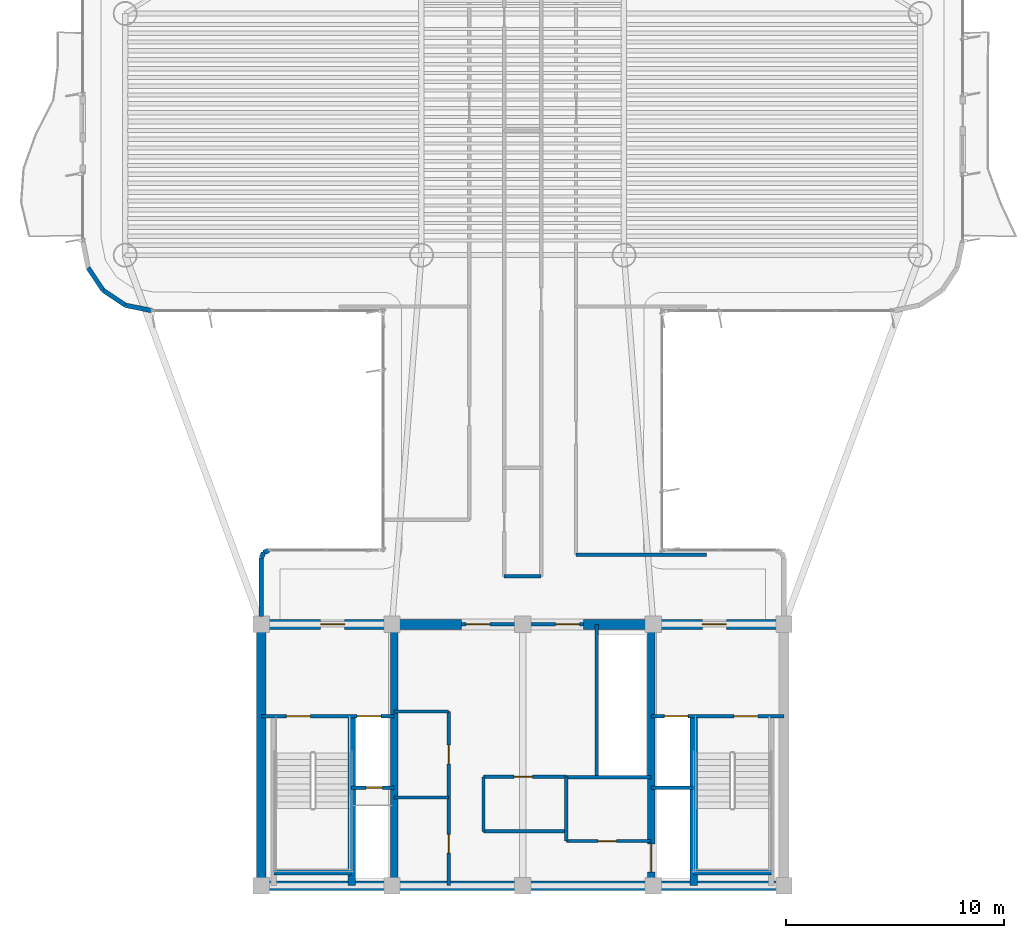
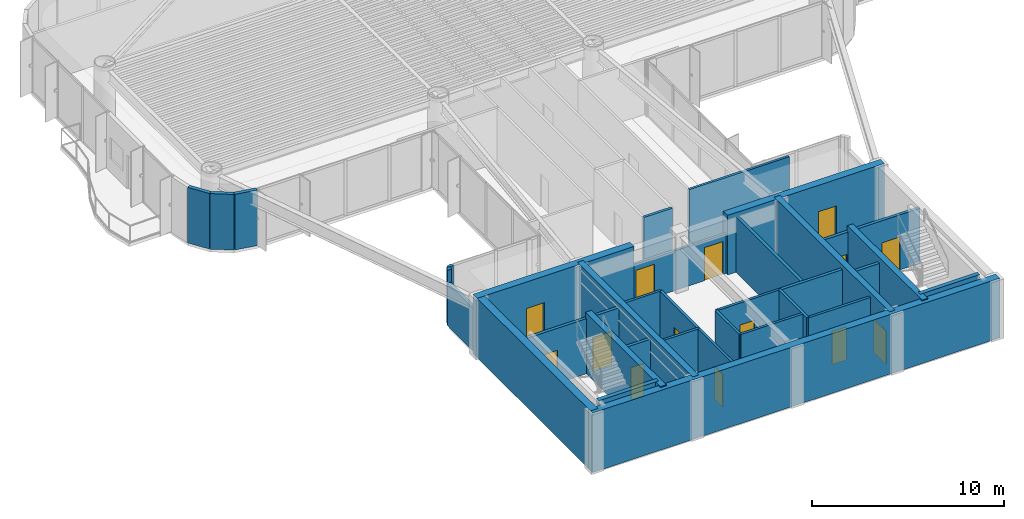
# One storey, part 9 of 13: 33 walls, 14 doors, 14 openings.
"""IFC4 building model written with IfcOpenShell, lengths in metres."""

import ifcopenshell
import ifcopenshell.guid

model = None  # the IFC model being written
_history = None  # IfcOwnerHistory: only IFC2X3 demands one
_inside = {}  # id of a spatial element -> (the spatial element, [elements in it])
_under = {}  # id of a project, library or spatial element -> (it, [spatial elements below it])
_declared = {}  # id of a project -> (the project, [libraries it declares])
_typed = {}  # id of a type object -> (the type object, [elements of that type])
_made_of = {}  # id of a material, layer set ... -> (it, [elements and type objects made of it])


def new_model(schema):
    """Start an empty IFC model of exactly this schema.

    Asked for "IFC4X3", IfcOpenShell would pick the latest addendum, in which some entities
    have other attributes; the version numbers below select the first issue.
    IFC2X3 requires an IfcOwnerHistory on every rooted entity: one is made here for all.
    """
    global model, _history
    if schema == "IFC4X3":
        model = ifcopenshell.file(schema_version=(4, 3, 0, 0))
    else:
        model = ifcopenshell.file(schema=schema)
    _inside.clear()
    _under.clear()
    _declared.clear()
    _typed.clear()
    _made_of.clear()
    _history = None
    if model.schema == "IFC2X3":
        org = make("IfcOrganization", Name="unknown")
        user = make(
            "IfcPersonAndOrganization",
            ThePerson=make("IfcPerson", FamilyName="unknown"),
            TheOrganization=org,
        )
        app = make(
            "IfcApplication",
            ApplicationDeveloper=org,
            Version="unknown",
            ApplicationFullName="unknown",
            ApplicationIdentifier="unknown",
        )
        _history = make(
            "IfcOwnerHistory",
            OwningUser=user,
            OwningApplication=app,
            ChangeAction="ADDED",
            CreationDate=0,
        )
    return model


def make(cls, **values):
    """One entity of the class cls with the attributes given. An attribute that is None is left unset."""
    return model.create_entity(
        cls, **{name: value for name, value in values.items() if value is not None}
    )


def rooted(cls, **values):
    """An entity with a GlobalId (a new one), such as an element, a storey or a relation."""
    return make(cls, GlobalId=ifcopenshell.guid.new(), OwnerHistory=_history, **values)


def si_unit(unit_type, name, prefix=None):
    """IfcSIUnit, for example si_unit("LENGTHUNIT", "METRE", prefix="MILLI")."""
    return make("IfcSIUnit", UnitType=unit_type, Prefix=prefix, Name=name)


def assignment(units):
    """IfcUnitAssignment: the units of a project."""
    return None if units is None else make("IfcUnitAssignment", Units=units)


def point(xyz):
    """IfcCartesianPoint."""
    return None if xyz is None else make("IfcCartesianPoint", Coordinates=xyz)


def direction(xyz):
    """IfcDirection."""
    return None if xyz is None else make("IfcDirection", DirectionRatios=xyz)


def frame(location, z_axis=None, x_axis=None):
    """IfcAxis2Placement3D, a coordinate frame: its origin and axes. An axis left out is left unset."""
    return make(
        "IfcAxis2Placement3D",
        Location=point(location),
        Axis=direction(z_axis),
        RefDirection=direction(x_axis),
    )


def frame_2d(location, x_axis=None):
    """IfcAxis2Placement2D, a coordinate frame in the plane: its origin and x axis."""
    return make(
        "IfcAxis2Placement2D", Location=point(location), RefDirection=direction(x_axis)
    )


def origin():
    """The frame at (0, 0, 0) with its axes left unset."""
    return frame((0.0, 0.0, 0.0))


def origin_2d():
    """The frame at (0, 0) in the plane with its x axis left unset."""
    return frame_2d((0.0, 0.0))


def place(relative_to, where):
    """IfcLocalPlacement: puts the frame where relative to a parent placement (None: the world)."""
    return make(
        "IfcLocalPlacement", PlacementRelTo=relative_to, RelativePlacement=where
    )


def context(
    kind, dimensions, precision=None, world=None, true_north=None, identifier=None
):
    """IfcGeometricRepresentationContext, for example the 3D "Model" context."""
    return make(
        "IfcGeometricRepresentationContext",
        ContextIdentifier=identifier,
        ContextType=kind,
        CoordinateSpaceDimension=dimensions,
        Precision=precision,
        WorldCoordinateSystem=world,
        TrueNorth=true_north,
    )


def subcontext(parent, identifier, kind, view, scale=None):
    """IfcGeometricRepresentationSubContext, for example "Body" below "Model"."""
    return make(
        "IfcGeometricRepresentationSubContext",
        ContextIdentifier=identifier,
        ContextType=kind,
        ParentContext=parent,
        TargetScale=scale,
        TargetView=view,
    )


def project(units=None, contexts=None):
    """IfcProject with its units and contexts."""
    return rooted(
        "IfcProject",
        Name="project",
        RepresentationContexts=contexts,
        UnitsInContext=assignment(units),
    )


def spatial(cls, under=None, at=None, **own):
    """A site, building, storey or space (cls), placed at a placement, below another one or the project."""
    s = rooted(cls, ObjectPlacement=at, **own)
    if under is not None:
        _under.setdefault(under.id(), (under, []))[1].append(s)
    return s


def profile(cls, at=None, kind="AREA", **sizes):
    """A parametric profile (cls). Its sizes go by their IFC names, for example OverallWidth=200.0."""
    return make(cls, ProfileType=kind, Position=at, **sizes)


def rectangle(**sizes):
    """IfcRectangleProfileDef."""
    return profile("IfcRectangleProfileDef", **sizes)


def extrude(swept, where, along, depth):
    """IfcExtrudedAreaSolid: the profile swept, set in the frame where, extruded along a direction by depth."""
    return make(
        "IfcExtrudedAreaSolid",
        SweptArea=swept,
        Position=where,
        ExtrudedDirection=direction(along),
        Depth=depth,
    )


def shape(context_of_items, identifier, shape_type, items):
    """IfcShapeRepresentation: the items that make up one representation, for example the "Body"."""
    return make(
        "IfcShapeRepresentation",
        ContextOfItems=context_of_items,
        RepresentationIdentifier=identifier,
        RepresentationType=shape_type,
        Items=items,
    )


def source(mapping_origin, context_of_items, identifier, shape_type, items):
    """IfcRepresentationMap: a shape defined once, which mapped items show again and again."""
    return make(
        "IfcRepresentationMap",
        MappingOrigin=mapping_origin,
        MappedRepresentation=shape(context_of_items, identifier, shape_type, items),
    )


def transform(
    local_origin,
    x_axis=None,
    y_axis=None,
    z_axis=None,
    scale=None,
    scale2=None,
    scale3=None,
    uniform=True,
):
    """IfcCartesianTransformationOperator3D, or its non-uniform kind. x_axis, y_axis, z_axis: its Axis1, 2, 3."""
    if uniform:
        return make(
            "IfcCartesianTransformationOperator3D",
            Axis1=direction(x_axis),
            Axis2=direction(y_axis),
            LocalOrigin=point(local_origin),
            Scale=scale,
            Axis3=direction(z_axis),
        )
    return make(
        "IfcCartesianTransformationOperator3DnonUniform",
        Axis1=direction(x_axis),
        Axis2=direction(y_axis),
        LocalOrigin=point(local_origin),
        Scale=scale,
        Axis3=direction(z_axis),
        Scale2=scale2,
        Scale3=scale3,
    )


def mapped(mapping_source, mapping_target):
    """IfcMappedItem: shows the shape of a source again, moved by a transform."""
    return make(
        "IfcMappedItem", MappingSource=mapping_source, MappingTarget=mapping_target
    )


def material(Name=None, Category=None):
    """IfcMaterial."""
    return make("IfcMaterial", Name=Name, Category=Category)


def layer(
    of_material, thickness, ventilated=None, Name=None, Category=None, Priority=None
):
    """IfcMaterialLayer: one layer of a wall or slab, of a material (None: an air gap)."""
    return make(
        "IfcMaterialLayer",
        Material=of_material,
        LayerThickness=thickness,
        IsVentilated=ventilated,
        Name=Name,
        Category=Category,
        Priority=Priority,
    )


def layer_set(layers, Name=None):
    """IfcMaterialLayerSet."""
    return make("IfcMaterialLayerSet", MaterialLayers=layers, LayerSetName=Name)


def made_of(thing, what):
    """Note that an element or type object is made of a material, layer set ...; save() writes the relation."""
    if what is not None:
        _made_of.setdefault(what.id(), (what, []))[1].append(thing)
    return thing


def type_object(cls, material=None, **own):
    """A type object (cls), such as IfcWallType, which elements share."""
    return made_of(rooted(cls, **own), material)


def element(
    cls,
    number,
    at=None,
    inside=None,
    cuts=None,
    type_object=None,
    material=None,
    context=None,
    identifier="Body",
    shape_type=None,
    held_by="IfcProductDefinitionShape",
    body=None,
    shapes=None,
    **own,
):
    """One element of the class cls, such as IfcWall. Its Tag is "e" and its number.

    at: its placement. inside: the storey or other place that contains it. cuts: it is an
    opening in that element (IfcRelVoidsElement). A single representation is given by context,
    identifier, shape_type and body (its items); several are given by shapes. held_by: the class
    of the entity that holds the representations. save() writes the other relations.
    """
    e = rooted(cls, Tag="e%d" % number, ObjectPlacement=at, **own)
    if body is not None:
        shapes = [shape(context, identifier, shape_type, body)]
    if shapes is not None:
        e.Representation = make(held_by, Representations=shapes)
    if inside is not None:
        _inside.setdefault(inside.id(), (inside, []))[1].append(e)
    if cuts is not None:
        rooted(
            "IfcRelVoidsElement", RelatingBuildingElement=cuts, RelatedOpeningElement=e
        )
    if type_object is not None:
        _typed.setdefault(type_object.id(), (type_object, []))[1].append(e)
    return made_of(e, material)


def fill(opening, filler):
    """IfcRelFillsElement: the door or window that sits in an opening."""
    return rooted(
        "IfcRelFillsElement",
        RelatingOpeningElement=opening,
        RelatedBuildingElement=filler,
    )


def aggregate(whole, parts):
    """IfcRelAggregates: a whole, such as a stair, and the parts it consists of."""
    return rooted("IfcRelAggregates", RelatingObject=whole, RelatedObjects=parts)


def save(model, path):
    """Write the relations noted so far, then the file.

    IfcRelAggregates (storeys below a building ...), IfcRelContainedInSpatialStructure (elements
    in a storey), IfcRelDefinesByType, IfcRelAssociatesMaterial and IfcRelDeclares: one each for
    every whole, place, type object, material and project.
    """
    for whole, parts in _under.values():
        aggregate(whole, parts)
    for where, things in _inside.values():
        rooted(
            "IfcRelContainedInSpatialStructure",
            RelatedElements=things,
            RelatingStructure=where,
        )
    for kind, things in _typed.values():
        rooted("IfcRelDefinesByType", RelatedObjects=things, RelatingType=kind)
    for what, things in _made_of.values():
        rooted("IfcRelAssociatesMaterial", RelatedObjects=things, RelatingMaterial=what)
    for by, libraries in _declared.values():
        rooted("IfcRelDeclares", RelatingContext=by, RelatedDefinitions=libraries)
    model.write(path)


model = new_model("IFC4")

# Units and contexts
model_context = context("Model", 3, precision=1e-05, world=origin(), true_north=direction((0.0, 1.0)))
body_context = subcontext(model_context, "Body", "Model", "MODEL_VIEW")
ifc_project = project(units=[si_unit("LENGTHUNIT", "METRE"), si_unit("AREAUNIT", "SQUARE_METRE"), si_unit("VOLUMEUNIT", "CUBIC_METRE"), si_unit("PLANEANGLEUNIT", "RADIAN"), si_unit("MASSUNIT", "GRAM", prefix="KILO")], contexts=[model_context])

# Site, building, storey
site_placement = place(None, origin())
site = spatial("IfcSite", under=ifc_project, at=site_placement, CompositionType="ELEMENT")
building_placement = place(site_placement, origin())
building = spatial("IfcBuilding", under=site, at=building_placement, Name="Brelvock Crest Care Tower", CompositionType="ELEMENT")
storey_placement = place(building_placement, frame((0.0, 0.0, 186.659912109375)))
storey = spatial("IfcBuildingStorey", under=building, at=storey_placement, Name="L47", CompositionType="ELEMENT", Elevation=186.659912109375)

# Walls
ifc_material_1 = material(Name="Concrete S65 (65 MPa)", Category="concrete")
ifc_layer_1 = layer(ifc_material_1, 0.449951171875, Name="WL-CS3")
ifc_layer_set_1 = layer_set([ifc_layer_1], Name="Concrete S65 (65 MPa)")
wall_type_1 = type_object("IfcWallType", Name="WL-CS3", PredefinedType="SHEAR", material=ifc_layer_set_1)
wall_1_placement = place(storey_placement, frame((48.22509765625, 6.0, 0.0), z_axis=(0.0, 0.0, 1.0), x_axis=(-1.0, 0.0, 0.0)))
element("IfcWall", 1, at=wall_1_placement, inside=storey, type_object=wall_type_1, Name="L47 Core South Shear Wall", PredefinedType="SHEAR", context=body_context, shape_type="SweptSolid", body=[
    extrude(rectangle(XDim=24.4501953125, YDim=0.449951171875, at=frame_2d((12.22509765625, 0.0))), origin(), (0.0, 0.0, 1.0), 3.780029296875),
])
wall_2_placement = place(storey_placement, frame((24.0, 6.0, 0.0), z_axis=(0.0, 0.0, 1.0), x_axis=(0.0, 1.0, 0.0)))
element("IfcWall", 2, at=wall_2_placement, inside=storey, type_object=wall_type_1, Name="L47 Core West Shear Wall", PredefinedType="SHEAR", context=body_context, shape_type="SweptSolid", body=[
    extrude(rectangle(XDim=12.0, YDim=0.449951171875, at=frame_2d((6.0, 0.0))), origin(), (0.0, 0.0, 1.0), 3.780029296875),
])

# Wall, opening, door
wall_3_placement = place(storey_placement, frame((23.77490234375, 18.0, 0.0), z_axis=(0.0, 0.0, 1.0), x_axis=(1.0, 0.0, 0.0)))
wall_3 = element("IfcWall", 3, at=wall_3_placement, inside=storey, type_object=wall_type_1, Name="L47 Core North-West Shear Wall", PredefinedType="SHEAR", context=body_context, shape_type="SweptSolid", body=[
    extrude(rectangle(XDim=9.425048828125, YDim=0.449951171875, at=frame_2d((4.71240234375, 0.0))), origin(), (0.0, 0.0, 1.0), 3.780029296875),
])
opening_1_placement = place(wall_3_placement, frame((2.949951171875, 0.0, 0.0)))
opening_1 = element("IfcOpeningElement", 4, at=opening_1_placement, cuts=wall_3, Name="Opening FD-1", PredefinedType="OPENING", context=body_context, shape_type="SweptSolid", body=[
    extrude(rectangle(XDim=1.10009765625, YDim=2.10009765625, at=origin_2d()), frame((0.550048828125, 0.23486328125, 1.050048828125), z_axis=(0.0, -1.0, 0.0), x_axis=(1.0, 0.0, 0.0)), (0.0, 0.0, 1.0), 0.469970703125),
])
ifc_material_2 = material(Name="Steel Grade 350", Category="steel")
door_type_1 = type_object("IfcDoorType", Name="DR-FFL1", OperationType="NOTDEFINED", PredefinedType="DOOR", material=ifc_material_2)
shared_shape_1 = source(origin(), body_context, "Body", "SweptSolid", [
    extrude(rectangle(XDim=1.10009765625, YDim=2.10009765625, at=origin_2d()), frame((0.550048828125, 0.02490234375, 1.050048828125), z_axis=(0.0, -1.0, 0.0), x_axis=(1.0, 0.0, 0.0)), (0.0, 0.0, 1.0), 0.050048828125),
])
door_1_placement = place(opening_1_placement, origin())
door_1 = element("IfcDoor", 5, at=door_1_placement, inside=storey, type_object=door_type_1, Name="L47 Firefighting Lobby FFL-1 Exit Door", OperationType="SINGLE_SWING_LEFT", OverallHeight=2.10009765625, OverallWidth=1.10009765625, PredefinedType="DOOR", context=body_context, shape_type="MappedRepresentation", body=[
    mapped(shared_shape_1, transform((0.0, 0.0, 0.0), x_axis=(1.0, 0.0, 0.0), y_axis=(0.0, 1.0, 0.0), z_axis=(0.0, 0.0, 1.0), scale=1.0)),
])
fill(opening_1, door_1)

wall_4_placement = place(storey_placement, frame((38.800048828125, 18.0, 0.0), z_axis=(0.0, 0.0, 1.0), x_axis=(1.0, 0.0, 0.0)))
wall_4 = element("IfcWall", 6, at=wall_4_placement, inside=storey, type_object=wall_type_1, Name="L47 Core North-East Shear Wall", PredefinedType="SHEAR", context=body_context, shape_type="SweptSolid", body=[
    extrude(rectangle(XDim=9.425048828125, YDim=0.449951171875, at=frame_2d((4.71240234375, 0.0))), origin(), (0.0, 0.0, 1.0), 3.780029296875),
])
opening_2_placement = place(wall_4_placement, frame((5.449951171875, 0.0, 0.0)))
opening_2 = element("IfcOpeningElement", 7, at=opening_2_placement, cuts=wall_4, Name="Opening FD-1", PredefinedType="OPENING", context=body_context, shape_type="SweptSolid", body=[
    extrude(rectangle(XDim=1.10009765625, YDim=2.10009765625, at=origin_2d()), frame((0.550048828125, 0.23486328125, 1.050048828125), z_axis=(0.0, -1.0, 0.0), x_axis=(1.0, 0.0, 0.0)), (0.0, 0.0, 1.0), 0.469970703125),
])
door_2_placement = place(opening_2_placement, origin())
door_2 = element("IfcDoor", 8, at=door_2_placement, inside=storey, type_object=door_type_1, Name="L47 Firefighting Lobby FFL-2 Exit Door", OperationType="SINGLE_SWING_RIGHT", OverallHeight=2.10009765625, OverallWidth=1.10009765625, PredefinedType="DOOR", context=body_context, shape_type="MappedRepresentation", body=[
    mapped(shared_shape_1, transform((0.0, 0.0, 0.0), x_axis=(1.0, 0.0, 0.0), y_axis=(0.0, 1.0, 0.0), z_axis=(0.0, 0.0, 1.0), scale=1.0)),
])
fill(opening_2, door_2)

# Wall
ifc_material_3 = material(Name="Concrete S80 (80 MPa)", Category="concrete")
ifc_layer_2 = layer(ifc_material_3, 0.35009765625, Name="WL-CS5")
ifc_layer_set_2 = layer_set([ifc_layer_2], Name="Concrete S80 (80 MPa)")
wall_type_2 = type_object("IfcWallType", Name="WL-CS5", PredefinedType="SHEAR", material=ifc_layer_set_2)
wall_5_placement = place(storey_placement, frame((30.10009765625, 6.0, 0.0), z_axis=(0.0, 0.0, 1.0), x_axis=(0.0, 1.0, 0.0)))
element("IfcWall", 9, at=wall_5_placement, inside=storey, type_object=wall_type_2, Name="L47 Core Internal Web Wall West", PredefinedType="SHEAR", context=body_context, shape_type="SweptSolid", body=[
    extrude(rectangle(XDim=12.0, YDim=0.35009765625, at=frame_2d((6.0, 0.0))), origin(), (0.0, 0.0, 1.0), 3.780029296875),
])

# Wall, opening, door
wall_6_placement = place(storey_placement, frame((41.89990234375, 18.0, 0.0), z_axis=(0.0, 0.0, 1.0), x_axis=(0.0, -1.0, 0.0)))
wall_6 = element("IfcWall", 10, at=wall_6_placement, inside=storey, type_object=wall_type_2, Name="L47 Core Internal Web Wall East", PredefinedType="SHEAR", context=body_context, shape_type="SweptSolid", body=[
    extrude(rectangle(XDim=12.0, YDim=0.35009765625, at=frame_2d((6.0, 0.0))), origin(), (0.0, 0.0, 1.0), 3.780029296875),
])
opening_3_placement = place(wall_6_placement, frame((10.080078125, 0.0, 0.0)))
opening_3 = element("IfcOpeningElement", 11, at=opening_3_placement, cuts=wall_6, Name="Opening LD-S", PredefinedType="OPENING", context=body_context, shape_type="SweptSolid", body=[
    extrude(rectangle(XDim=1.300048828125, YDim=2.10009765625, at=origin_2d()), frame((0.64990234375, 0.18505859375, 1.050048828125), z_axis=(0.0, -1.0, 0.0), x_axis=(1.0, 0.0, 0.0)), (0.0, 0.0, 1.0), 0.3701171875),
])
door_type_2 = type_object("IfcDoorType", Name="DR-LDS1", OperationType="NOTDEFINED", PredefinedType="DOOR", material=ifc_material_2)
shared_shape_2 = source(origin(), body_context, "Body", "SweptSolid", [
    extrude(rectangle(XDim=1.300048828125, YDim=2.10009765625, at=origin_2d()), frame((0.64990234375, 0.02490234375, 1.050048828125), z_axis=(0.0, -1.0, 0.0), x_axis=(1.0, 0.0, 0.0)), (0.0, 0.0, 1.0), 0.050048828125),
])
door_3_placement = place(opening_3_placement, origin())
door_3 = element("IfcDoor", 12, at=door_3_placement, inside=storey, type_object=door_type_2, Name="L47 Clinical Bed Lift SL-1 Landing Door", OperationType="SLIDING_TO_LEFT", OverallHeight=2.10009765625, OverallWidth=1.300048828125, PredefinedType="DOOR", context=body_context, shape_type="MappedRepresentation", body=[
    mapped(shared_shape_2, transform((0.0, 0.0, 0.0), x_axis=(1.0, 0.0, 0.0), y_axis=(0.0, 1.0, 0.0), z_axis=(0.0, 0.0, 1.0), scale=1.0)),
])
fill(opening_3, door_3)

# Walls
for number, where, z_axis, x_axis, name in (
    (13, (28.14990234375, 6.0, 0.0), (0.0, 0.0, 1.0), (0.0, 1.0, 0.0), "L47 Core Stair ST-1 East Shear Wall"),
    (14, (43.85009765625, 6.0, 0.0), (0.0, 0.0, 1.0), (0.0, 1.0, 0.0), "L47 Core Stair ST-2 West Shear Wall"),
):
    element("IfcWall", number, at=place(storey_placement, frame(where, z_axis=z_axis, x_axis=x_axis)), inside=storey, type_object=wall_type_2, Name=name, PredefinedType="SHEAR", context=body_context, shape_type="SweptSolid", body=[
        extrude(rectangle(XDim=7.780029296875, YDim=0.35009765625, at=frame_2d((3.89013671875, 0.0))), origin(), (0.0, 0.0, 1.0), 3.85009765625),
    ])
ifc_layer_3 = layer(ifc_material_3, 0.25, Name="WL-CS6")
ifc_layer_set_3 = layer_set([ifc_layer_3], Name="Concrete S80 (80 MPa)")
wall_type_3 = type_object("IfcWallType", Name="WL-CS6", PredefinedType="SHEAR", material=ifc_layer_set_3)
for number, where, z_axis, x_axis, name in (
    (15, (24.580078125, 6.6201171875, 0.0), (0.0, 0.0, 1.0), (1.0, 0.0, 0.0), "L47 Core Stair ST-1 South Shear Wall"),
    (16, (43.85009765625, 6.6201171875, 0.0), (0.0, 0.0, 1.0), (1.0, 0.0, 0.0), "L47 Core Stair ST-2 South Shear Wall"),
):
    element("IfcWall", number, at=place(storey_placement, frame(where, z_axis=z_axis, x_axis=x_axis)), inside=storey, type_object=wall_type_3, Name=name, PredefinedType="SHEAR", context=body_context, shape_type="SweptSolid", body=[
        extrude(rectangle(XDim=3.56982421875, YDim=0.25, at=frame_2d((1.784912109375, 0.0))), origin(), (0.0, 0.0, 1.0), 3.85009765625),
    ])
ifc_material_4 = material(Name="Precast concrete N40 (40 MPa)", Category="concrete")
ifc_layer_4 = layer(ifc_material_4, 0.215087890625, Name="WL-EX2")
ifc_layer_set_4 = layer_set([ifc_layer_4], Name="Precast concrete N40 (40 MPa)")
wall_type_4 = type_object("IfcWallType", Name="WL-EX2", PredefinedType="SOLIDWALL", material=ifc_layer_set_4)
wall_7_placement = place(storey_placement, frame((24.0, 18.35498046875, 0.0), z_axis=(0.0, 0.0, 1.0), x_axis=(0.0, 1.0, 0.0)))
element("IfcWall", 17, at=wall_7_placement, inside=storey, type_object=wall_type_4, Name="L47 Rounded Corner Wall 07", PredefinedType="SOLIDWALL", context=body_context, shape_type="SweptSolid", body=[
    extrude(rectangle(XDim=2.695068359375, YDim=0.215087890625, at=frame_2d((1.34765625, 0.0))), origin(), (0.0, 0.0, 1.0), 2.718017578125),
])
wall_8_placement = place(storey_placement, frame((24.0, 21.050048828125, 0.0), z_axis=(0.0, 0.0, 1.0), x_axis=(0.382673670509, 0.923883575944, 0.0)))
element("IfcWall", 18, at=wall_8_placement, inside=storey, type_object=wall_type_4, Name="L47 Rounded Corner Wall 08", PredefinedType="SOLIDWALL", context=body_context, shape_type="SweptSolid", body=[
    extrude(rectangle(XDim=0.26806640625, YDim=0.215087890625, at=frame_2d((0.134033203125, 0.0))), origin(), (0.0, 0.0, 1.0), 3.530029296875),
])
wall_9_placement = place(storey_placement, frame((24.1025390625, 21.297607421875, 0.0), z_axis=(0.0, 0.0, 1.0), x_axis=(0.924205486139, 0.381895560841, 0.0)))
element("IfcWall", 19, at=wall_9_placement, inside=storey, type_object=wall_type_4, Name="L47 Rounded Corner Wall 09", PredefinedType="SOLIDWALL", context=body_context, shape_type="SweptSolid", body=[
    extrude(rectangle(XDim=0.267822265625, YDim=0.215087890625, at=frame_2d((0.1337890625, 0.0))), origin(), (0.0, 0.0, 1.0), 3.530029296875),
])
for number, where, z_axis, x_axis, name in (
    (20, (19.0, 32.39990234375, 0.0), (0.0, 0.0, 1.0), (-0.980775717779, 0.195138390419, 0.0), "L47 Rounded Corner Wall 13"),
    (21, (17.775390625, 32.6435546875, 0.0), (0.0, 0.0, 1.0), (-0.831387912822, 0.555692485475, 0.0), "L47 Rounded Corner Wall 14"),
    (22, (16.7373046875, 33.33740234375, 0.0), (0.0, 0.0, 1.0), (-0.555557312883, 0.831478245117, 0.0), "L47 Rounded Corner Wall 15"),
):
    element("IfcWall", number, at=place(storey_placement, frame(where, z_axis=z_axis, x_axis=x_axis)), inside=storey, type_object=wall_type_4, Name=name, PredefinedType="SOLIDWALL", context=body_context, shape_type="SweptSolid", body=[
        extrude(rectangle(XDim=1.24853515625, YDim=0.215087890625, at=frame_2d((0.624267578125, 0.0))), origin(), (0.0, 0.0, 1.0), 3.530029296875),
    ])
ifc_material_5 = material(Name="Masonry Blockwork Acoustic Partition", Category="masonry")
ifc_layer_5 = layer(ifc_material_5, 0.14990234375, Name="WL-INT1")
ifc_layer_set_5 = layer_set([ifc_layer_5], Name="Masonry Blockwork Acoustic Partition")
wall_type_5 = type_object("IfcWallType", Name="WL-INT1", PredefinedType="PARTITIONING", material=ifc_layer_set_5)
wall_10_placement = place(storey_placement, frame((30.10009765625, 14.0, 0.0), z_axis=(0.0, 0.0, 1.0), x_axis=(1.0, 0.0, 0.0)))
element("IfcWall", 23, at=wall_10_placement, inside=storey, type_object=wall_type_5, Name="L47 Interior Wall WL-CRCL-N1-L47", PredefinedType="PARTITIONING", context=body_context, shape_type="SweptSolid", body=[
    extrude(rectangle(XDim=2.5, YDim=0.14990234375, at=frame_2d((1.25, 0.0))), origin(), (0.0, 0.0, 1.0), 3.5),
])
wall_11_placement = place(storey_placement, frame((34.199951171875, 8.5, 0.0), z_axis=(0.0, 0.0, 1.0), x_axis=(1.0, 0.0, 0.0)))
element("IfcWall", 24, at=wall_11_placement, inside=storey, type_object=wall_type_5, Name="L47 Interior Wall WL-CRCM-SW-L47", PredefinedType="PARTITIONING", context=body_context, shape_type="SweptSolid", body=[
    extrude(rectangle(XDim=3.800048828125, YDim=0.14990234375, at=frame_2d((1.89990234375, 0.0))), origin(), (0.0, 0.0, 1.0), 3.5),
])

# Wall, opening, door
wall_12_placement = place(storey_placement, frame((38.0, 8.050048828125, 0.0), z_axis=(0.0, 0.0, 1.0), x_axis=(1.0, 0.0, 0.0)))
wall_12 = element("IfcWall", 25, at=wall_12_placement, inside=storey, type_object=wall_type_5, Name="L47 Interior Wall WL-CRCM-SE-L47", PredefinedType="PARTITIONING", context=body_context, shape_type="SweptSolid", body=[
    extrude(rectangle(XDim=3.89990234375, YDim=0.14990234375, at=frame_2d((1.949951171875, 0.0))), origin(), (0.0, 0.0, 1.0), 3.5),
])
opening_4_placement = place(wall_12_placement, frame((1.449951171875, 0.0, 0.0)))
opening_4 = element("IfcOpeningElement", 26, at=opening_4_placement, cuts=wall_12, Name="Opening ID-1", PredefinedType="OPENING", context=body_context, shape_type="SweptSolid", body=[
    extrude(rectangle(XDim=0.860107421875, YDim=2.10009765625, at=origin_2d()), frame((0.43017578125, 0.0849609375, 1.050048828125), z_axis=(0.0, -1.0, 0.0), x_axis=(1.0, 0.0, 0.0)), (0.0, 0.0, 1.0), 0.169921875),
])
ifc_material_6 = material(Name="Engineered Hardwood Timber", Category="wood")
door_type_3 = type_object("IfcDoorType", Name="DR-INT1", OperationType="NOTDEFINED", PredefinedType="DOOR", material=ifc_material_6)
shared_shape_3 = source(origin(), body_context, "Body", "SweptSolid", [
    extrude(rectangle(XDim=0.860107421875, YDim=2.10009765625, at=origin_2d()), frame((0.43017578125, 0.02490234375, 1.050048828125), z_axis=(0.0, -1.0, 0.0), x_axis=(1.0, 0.0, 0.0)), (0.0, 0.0, 1.0), 0.050048828125),
])
door_4_placement = place(opening_4_placement, origin())
door_4 = element("IfcDoor", 27, at=door_4_placement, inside=storey, type_object=door_type_3, Name="DR-CRCM2-L47", OperationType="SINGLE_SWING_LEFT", OverallHeight=2.10009765625, OverallWidth=0.860107421875, PredefinedType="DOOR", context=body_context, shape_type="MappedRepresentation", body=[
    mapped(shared_shape_3, transform((0.0, 0.0, 0.0), x_axis=(1.0, 0.0, 0.0), y_axis=(0.0, 1.0, 0.0), z_axis=(0.0, 0.0, 1.0), scale=1.0)),
])
fill(opening_4, door_4)

# Walls
wall_13_placement = place(storey_placement, frame((34.199951171875, 8.5, 0.0), z_axis=(0.0, 0.0, 1.0), x_axis=(0.0, 1.0, 0.0)))
element("IfcWall", 28, at=wall_13_placement, inside=storey, type_object=wall_type_5, Name="L47 Interior Wall WL-CRCM-W-L47", PredefinedType="PARTITIONING", context=body_context, shape_type="SweptSolid", body=[
    extrude(rectangle(XDim=2.5, YDim=0.14990234375, at=frame_2d((1.25, 0.0))), origin(), (0.0, 0.0, 1.0), 3.5),
])
wall_14_placement = place(storey_placement, frame((38.0, 8.050048828125, 0.0), z_axis=(0.0, 0.0, 1.0), x_axis=(0.0, 1.0, 0.0)))
element("IfcWall", 29, at=wall_14_placement, inside=storey, type_object=wall_type_5, Name="L47 Interior Wall WL-CRCM-V-L47", PredefinedType="PARTITIONING", context=body_context, shape_type="SweptSolid", body=[
    extrude(rectangle(XDim=2.949951171875, YDim=0.14990234375, at=frame_2d((1.47509765625, 0.0))), origin(), (0.0, 0.0, 1.0), 3.5),
])

# Wall, opening, door
wall_15_placement = place(storey_placement, frame((34.199951171875, 11.0, 0.0), z_axis=(0.0, 0.0, 1.0), x_axis=(1.0, 0.0, 0.0)))
wall_15 = element("IfcWall", 30, at=wall_15_placement, inside=storey, type_object=wall_type_5, Name="L47 Interior Wall WL-CRCM-NW-L47", PredefinedType="PARTITIONING", context=body_context, shape_type="SweptSolid", body=[
    extrude(rectangle(XDim=3.800048828125, YDim=0.14990234375, at=frame_2d((1.89990234375, 0.0))), origin(), (0.0, 0.0, 1.0), 3.5),
])
opening_5_placement = place(wall_15_placement, frame((1.39990234375, 0.0, 0.0)))
opening_5 = element("IfcOpeningElement", 31, at=opening_5_placement, cuts=wall_15, Name="Opening ID-1", PredefinedType="OPENING", context=body_context, shape_type="SweptSolid", body=[
    extrude(rectangle(XDim=0.860107421875, YDim=2.10009765625, at=origin_2d()), frame((0.43017578125, 0.0849609375, 1.050048828125), z_axis=(0.0, -1.0, 0.0), x_axis=(1.0, 0.0, 0.0)), (0.0, 0.0, 1.0), 0.169921875),
])
door_5_placement = place(opening_5_placement, origin())
door_5 = element("IfcDoor", 32, at=door_5_placement, inside=storey, type_object=door_type_3, Name="DR-CRCM1-L47", OperationType="SINGLE_SWING_LEFT", OverallHeight=2.10009765625, OverallWidth=0.860107421875, PredefinedType="DOOR", context=body_context, shape_type="MappedRepresentation", body=[
    mapped(shared_shape_3, transform((0.0, 0.0, 0.0), x_axis=(1.0, 0.0, 0.0), y_axis=(0.0, 1.0, 0.0), z_axis=(0.0, 0.0, 1.0), scale=1.0)),
])
fill(opening_5, door_5)

# Wall
wall_16_placement = place(storey_placement, frame((30.10009765625, 10.050048828125, 0.0), z_axis=(0.0, 0.0, 1.0), x_axis=(1.0, 0.0, 0.0)))
element("IfcWall", 33, at=wall_16_placement, inside=storey, type_object=wall_type_5, Name="L47 Interior Wall WL-CSBW-S1-L47", PredefinedType="PARTITIONING", context=body_context, shape_type="SweptSolid", body=[
    extrude(rectangle(XDim=2.5, YDim=0.14990234375, at=frame_2d((1.25, 0.0))), origin(), (0.0, 0.0, 1.0), 3.5),
])

# Wall, openings, doors
wall_17_placement = place(storey_placement, frame((32.60009765625, 6.0, 0.0), z_axis=(0.0, 0.0, 1.0), x_axis=(0.0, 1.0, 0.0)))
wall_17 = element("IfcWall", 34, at=wall_17_placement, inside=storey, type_object=wall_type_5, Name="L47 Interior Wall WL-CRCL-E-L47", PredefinedType="PARTITIONING", context=body_context, shape_type="SweptSolid", body=[
    extrude(rectangle(XDim=8.0, YDim=0.14990234375, at=frame_2d((4.0, 0.0))), origin(), (0.0, 0.0, 1.0), 3.5),
])
opening_6_placement = place(wall_17_placement, frame((1.5, 0.0, 0.0)))
opening_6 = element("IfcOpeningElement", 35, at=opening_6_placement, cuts=wall_17, Name="Opening ID-1", PredefinedType="OPENING", context=body_context, shape_type="SweptSolid", body=[
    extrude(rectangle(XDim=0.860107421875, YDim=2.10009765625, at=origin_2d()), frame((0.43017578125, 0.0849609375, 1.050048828125), z_axis=(0.0, -1.0, 0.0), x_axis=(1.0, 0.0, 0.0)), (0.0, 0.0, 1.0), 0.169921875),
])
opening_7_placement = place(wall_17_placement, frame((5.60009765625, 0.0, 0.0)))
opening_7 = element("IfcOpeningElement", 36, at=opening_7_placement, cuts=wall_17, Name="Opening ID-1", PredefinedType="OPENING", context=body_context, shape_type="SweptSolid", body=[
    extrude(rectangle(XDim=0.860107421875, YDim=2.10009765625, at=origin_2d()), frame((0.43017578125, 0.0849609375, 1.050048828125), z_axis=(0.0, -1.0, 0.0), x_axis=(1.0, 0.0, 0.0)), (0.0, 0.0, 1.0), 0.169921875),
])
door_6_placement = place(opening_6_placement, origin())
door_6 = element("IfcDoor", 37, at=door_6_placement, inside=storey, type_object=door_type_3, Name="DR-CSBW-L47", OperationType="SINGLE_SWING_LEFT", OverallHeight=2.10009765625, OverallWidth=0.860107421875, PredefinedType="DOOR", context=body_context, shape_type="MappedRepresentation", body=[
    mapped(shared_shape_3, transform((0.0, 0.0, 0.0), x_axis=(1.0, 0.0, 0.0), y_axis=(0.0, 1.0, 0.0), z_axis=(0.0, 0.0, 1.0), scale=1.0)),
])
fill(opening_6, door_6)
door_7_placement = place(opening_7_placement, origin())
door_7 = element("IfcDoor", 38, at=door_7_placement, inside=storey, type_object=door_type_3, Name="DR-CRCL1-L47", OperationType="SINGLE_SWING_LEFT", OverallHeight=2.10009765625, OverallWidth=0.860107421875, PredefinedType="DOOR", context=body_context, shape_type="MappedRepresentation", body=[
    mapped(shared_shape_3, transform((0.0, 0.0, 0.0), x_axis=(1.0, 0.0, 0.0), y_axis=(0.0, 1.0, 0.0), z_axis=(0.0, 0.0, 1.0), scale=1.0)),
])
fill(opening_7, door_7)

wall_18_placement = place(storey_placement, frame((33.199951171875, 18.0, 0.0), z_axis=(0.0, 0.0, 1.0), x_axis=(1.0, 0.0, 0.0)))
wall_18 = element("IfcWall", 39, at=wall_18_placement, inside=storey, type_object=wall_type_5, Name="L47 Interior Wall WL-CORE-NPORT-L47", PredefinedType="PARTITIONING", context=body_context, shape_type="SweptSolid", body=[
    extrude(rectangle(XDim=5.60009765625, YDim=0.14990234375, at=frame_2d((2.800048828125, 0.0))), origin(), (0.0, 0.0, 1.0), 2.51513671875),
])
opening_8_placement = place(wall_18_placement, frame((0.18994140625, 0.0, 0.0)))
opening_8 = element("IfcOpeningElement", 40, at=opening_8_placement, cuts=wall_18, Name="Opening FD-1", PredefinedType="OPENING", context=body_context, shape_type="SweptSolid", body=[
    extrude(rectangle(XDim=1.10009765625, YDim=2.10009765625, at=origin_2d()), frame((0.550048828125, 0.0849609375, 1.050048828125), z_axis=(0.0, -1.0, 0.0), x_axis=(1.0, 0.0, 0.0)), (0.0, 0.0, 1.0), 0.169921875),
])
opening_9_placement = place(wall_18_placement, frame((4.31005859375, 0.0, 0.0)))
opening_9 = element("IfcOpeningElement", 41, at=opening_9_placement, cuts=wall_18, Name="Opening FD-1", PredefinedType="OPENING", context=body_context, shape_type="SweptSolid", body=[
    extrude(rectangle(XDim=1.10009765625, YDim=2.10009765625, at=origin_2d()), frame((0.550048828125, 0.0849609375, 1.050048828125), z_axis=(0.0, -1.0, 0.0), x_axis=(1.0, 0.0, 0.0)), (0.0, 0.0, 1.0), 0.169921875),
])
door_8_placement = place(opening_8_placement, origin())
door_8 = element("IfcDoor", 42, at=door_8_placement, inside=storey, type_object=door_type_1, Name="L47 Lift Lobby North Smoke Door West", OperationType="SINGLE_SWING_LEFT", OverallHeight=2.10009765625, OverallWidth=1.10009765625, PredefinedType="DOOR", context=body_context, shape_type="MappedRepresentation", body=[
    mapped(shared_shape_1, transform((0.0, 0.0, 0.0), x_axis=(1.0, 0.0, 0.0), y_axis=(0.0, 1.0, 0.0), z_axis=(0.0, 0.0, 1.0), scale=1.0)),
])
fill(opening_8, door_8)
door_9_placement = place(opening_9_placement, origin())
door_9 = element("IfcDoor", 43, at=door_9_placement, inside=storey, type_object=door_type_1, Name="L47 Lift Lobby North Smoke Door East", OperationType="SINGLE_SWING_RIGHT", OverallHeight=2.10009765625, OverallWidth=1.10009765625, PredefinedType="DOOR", context=body_context, shape_type="MappedRepresentation", body=[
    mapped(shared_shape_1, transform((0.0, 0.0, 0.0), x_axis=(1.0, 0.0, 0.0), y_axis=(0.0, 1.0, 0.0), z_axis=(0.0, 0.0, 1.0), scale=1.0)),
])
fill(opening_9, door_9)

# Walls
wall_19_placement = place(storey_placement, frame((38.449951171875, 21.199951171875, 0.0), z_axis=(0.0, 0.0, 1.0), x_axis=(1.0, 0.0, 0.0)))
element("IfcWall", 44, at=wall_19_placement, inside=storey, type_object=wall_type_5, Name="L47 Interior Wall WL-BX-L47-THRE-S", PredefinedType="PARTITIONING", context=body_context, shape_type="SweptSolid", body=[
    extrude(rectangle(XDim=5.99267578125, YDim=0.14990234375, at=frame_2d((2.996337890625, 0.0))), origin(), (0.0, 0.0, 1.0), 3.5),
])
ifc_material_7 = material(Name="Gypsum Plasterboard Partition", Category="gypsum")
ifc_layer_6 = layer(ifc_material_7, 0.159912109375, Name="WL-PLM1")
ifc_layer_set_6 = layer_set([ifc_layer_6], Name="Gypsum Plasterboard Partition")
wall_type_6 = type_object("IfcWallType", Name="WL-PLM1", PredefinedType="PLUMBINGWALL", material=ifc_layer_set_6)
wall_20_placement = place(storey_placement, frame((35.14990234375, 20.199951171875, 0.0), z_axis=(0.0, 0.0, 1.0), x_axis=(1.0, 0.0, 0.0)))
element("IfcWall", 45, at=wall_20_placement, inside=storey, type_object=wall_type_6, Name="L47 Interior Wall WL-BX-L47-ISWC-S", PredefinedType="PLUMBINGWALL", context=body_context, shape_type="SweptSolid", body=[
    extrude(rectangle(XDim=1.7001953125, YDim=0.159912109375, at=frame_2d((0.85009765625, 0.0))), origin(), (0.0, 0.0, 1.0), 3.5),
])
ifc_layer_7 = layer(ifc_material_5, 0.179931640625, Name="WL-SHF1")
ifc_layer_set_7 = layer_set([ifc_layer_7], Name="Masonry Blockwork Acoustic Partition")
wall_type_7 = type_object("IfcWallType", Name="WL-SHF1", PredefinedType="PARTITIONING", material=ifc_layer_set_7)
wall_21_placement = place(storey_placement, frame((38.0, 10.97998046875, 0.0), z_axis=(0.0, 0.0, 1.0), x_axis=(1.0, 0.0, 0.0)))
element("IfcWall", 46, at=wall_21_placement, inside=storey, type_object=wall_type_7, Name="L47 Interior Wall WL-CRCM-NE-L47", PredefinedType="PARTITIONING", context=body_context, shape_type="SweptSolid", body=[
    extrude(rectangle(XDim=3.89990234375, YDim=0.179931640625, at=frame_2d((1.949951171875, 0.0))), origin(), (0.0, 0.0, 1.0), 3.5),
])
wall_22_placement = place(storey_placement, frame((39.39990234375, 11.0, 0.0), z_axis=(0.0, 0.0, 1.0), x_axis=(0.0, 1.0, 0.0)))
element("IfcWall", 47, at=wall_22_placement, inside=storey, type_object=wall_type_7, Name="L47 Interior Wall WL-PLH-SHF-L47", PredefinedType="PARTITIONING", context=body_context, shape_type="SweptSolid", body=[
    extrude(rectangle(XDim=7.0, YDim=0.179931640625, at=frame_2d((3.5, 0.0))), origin(), (0.0, 0.0, 1.0), 3.5),
])

# Wall, openings, doors
wall_23_placement = place(storey_placement, frame((24.0, 13.780029296875, 0.0), z_axis=(0.0, 0.0, 1.0), x_axis=(1.0, 0.0, 0.0)))
wall_23 = element("IfcWall", 48, at=wall_23_placement, inside=storey, type_object=wall_type_7, Name="L47 Interior Wall WL-ST1-N-L47", PredefinedType="PARTITIONING", context=body_context, shape_type="SweptSolid", body=[
    extrude(rectangle(XDim=6.10009765625, YDim=0.179931640625, at=frame_2d((3.050048828125, 0.0))), origin(), (0.0, 0.0, 1.0), 3.5),
])
opening_10_placement = place(wall_23_placement, frame((1.14990234375, 0.0, 0.0)))
opening_10 = element("IfcOpeningElement", 49, at=opening_10_placement, cuts=wall_23, Name="Opening SD-1", PredefinedType="OPENING", context=body_context, shape_type="SweptSolid", body=[
    extrude(rectangle(XDim=1.10009765625, YDim=2.10009765625, at=origin_2d()), frame((0.550048828125, 0.10009765625, 1.050048828125), z_axis=(0.0, -1.0, 0.0), x_axis=(1.0, 0.0, 0.0)), (0.0, 0.0, 1.0), 0.199951171875),
])
opening_11_placement = place(wall_23_placement, frame((4.39990234375, 0.0, 0.0)))
opening_11 = element("IfcOpeningElement", 50, at=opening_11_placement, cuts=wall_23, Name="Opening LD", PredefinedType="OPENING", context=body_context, shape_type="SweptSolid", body=[
    extrude(rectangle(XDim=1.10009765625, YDim=2.10009765625, at=origin_2d()), frame((0.550048828125, 0.10009765625, 1.050048828125), z_axis=(0.0, -1.0, 0.0), x_axis=(1.0, 0.0, 0.0)), (0.0, 0.0, 1.0), 0.199951171875),
])
door_type_4 = type_object("IfcDoorType", Name="DR-ST1", OperationType="NOTDEFINED", PredefinedType="DOOR", material=ifc_material_2)
shared_shape_4 = source(origin(), body_context, "Body", "SweptSolid", [
    extrude(rectangle(XDim=1.10009765625, YDim=2.10009765625, at=origin_2d()), frame((0.550048828125, 0.02490234375, 1.050048828125), z_axis=(0.0, -1.0, 0.0), x_axis=(1.0, 0.0, 0.0)), (0.0, 0.0, 1.0), 0.050048828125),
])
door_10_placement = place(opening_10_placement, origin())
door_10 = element("IfcDoor", 51, at=door_10_placement, inside=storey, type_object=door_type_4, Name="L47 Fire Stair ST-1 Door", OperationType="SINGLE_SWING_LEFT", OverallHeight=2.10009765625, OverallWidth=1.10009765625, PredefinedType="DOOR", context=body_context, shape_type="MappedRepresentation", body=[
    mapped(shared_shape_4, transform((0.0, 0.0, 0.0), x_axis=(1.0, 0.0, 0.0), y_axis=(0.0, 1.0, 0.0), z_axis=(0.0, 0.0, 1.0), scale=1.0)),
])
fill(opening_10, door_10)
door_type_5 = type_object("IfcDoorType", Name="DR-LD1", OperationType="NOTDEFINED", PredefinedType="DOOR", material=ifc_material_2)
shared_shape_5 = source(origin(), body_context, "Body", "SweptSolid", [
    extrude(rectangle(XDim=1.10009765625, YDim=2.10009765625, at=origin_2d()), frame((0.550048828125, 0.02490234375, 1.050048828125), z_axis=(0.0, -1.0, 0.0), x_axis=(1.0, 0.0, 0.0)), (0.0, 0.0, 1.0), 0.050048828125),
])
door_11_placement = place(opening_11_placement, origin())
door_11 = element("IfcDoor", 52, at=door_11_placement, inside=storey, type_object=door_type_5, Name="L47 Firefighting Lift FFL-1 Landing Door", OperationType="SLIDING_TO_LEFT", OverallHeight=2.10009765625, OverallWidth=1.10009765625, PredefinedType="DOOR", context=body_context, shape_type="MappedRepresentation", body=[
    mapped(shared_shape_5, transform((0.0, 0.0, 0.0), x_axis=(1.0, 0.0, 0.0), y_axis=(0.0, 1.0, 0.0), z_axis=(0.0, 0.0, 1.0), scale=1.0)),
])
fill(opening_11, door_11)

# Wall, opening, door
wall_24_placement = place(storey_placement, frame((28.14990234375, 10.5, 0.0), z_axis=(0.0, 0.0, 1.0), x_axis=(1.0, 0.0, 0.0)))
wall_24 = element("IfcWall", 53, at=wall_24_placement, inside=storey, type_object=wall_type_7, Name="L47 Interior Wall WL-FFH1-S-L47", PredefinedType="PARTITIONING", context=body_context, shape_type="SweptSolid", body=[
    extrude(rectangle(XDim=1.9501953125, YDim=0.179931640625, at=frame_2d((0.97509765625, 0.0))), origin(), (0.0, 0.0, 1.0), 3.5),
])
opening_12_placement = place(wall_24_placement, frame((0.64990234375, 0.0, 0.0)))
opening_12 = element("IfcOpeningElement", 54, at=opening_12_placement, cuts=wall_24, Name="Opening RD-1", PredefinedType="OPENING", context=body_context, shape_type="SweptSolid", body=[
    extrude(rectangle(XDim=0.760009765625, YDim=2.050048828125, at=origin_2d()), frame((0.3798828125, 0.10009765625, 1.02490234375), z_axis=(0.0, -1.0, 0.0), x_axis=(1.0, 0.0, 0.0)), (0.0, 0.0, 1.0), 0.199951171875),
])
door_type_6 = type_object("IfcDoorType", Name="DR-RIS1", OperationType="NOTDEFINED", PredefinedType="DOOR", material=ifc_material_2)
shared_shape_6 = source(origin(), body_context, "Body", "SweptSolid", [
    extrude(rectangle(XDim=0.760009765625, YDim=2.050048828125, at=origin_2d()), frame((0.3798828125, 0.02490234375, 1.02490234375), z_axis=(0.0, -1.0, 0.0), x_axis=(1.0, 0.0, 0.0)), (0.0, 0.0, 1.0), 0.050048828125),
])
door_12_placement = place(opening_12_placement, origin())
door_12 = element("IfcDoor", 55, at=door_12_placement, inside=storey, type_object=door_type_6, Name="L47 Wet Fire Riser Access Door", OperationType="SINGLE_SWING_LEFT", OverallHeight=2.050048828125, OverallWidth=0.760009765625, PredefinedType="DOOR", context=body_context, shape_type="MappedRepresentation", body=[
    mapped(shared_shape_6, transform((0.0, 0.0, 0.0), x_axis=(1.0, 0.0, 0.0), y_axis=(0.0, 1.0, 0.0), z_axis=(0.0, 0.0, 1.0), scale=1.0)),
])
fill(opening_12, door_12)

# Wall, openings, doors
wall_25_placement = place(storey_placement, frame((41.89990234375, 13.780029296875, 0.0), z_axis=(0.0, 0.0, 1.0), x_axis=(1.0, 0.0, 0.0)))
wall_25 = element("IfcWall", 56, at=wall_25_placement, inside=storey, type_object=wall_type_7, Name="L47 Interior Wall WL-ST2-N-L47", PredefinedType="PARTITIONING", context=body_context, shape_type="SweptSolid", body=[
    extrude(rectangle(XDim=6.10009765625, YDim=0.179931640625, at=frame_2d((3.050048828125, 0.0))), origin(), (0.0, 0.0, 1.0), 3.5),
])
opening_13_placement = place(wall_25_placement, frame((0.60009765625, 0.0, 0.0)))
opening_13 = element("IfcOpeningElement", 57, at=opening_13_placement, cuts=wall_25, Name="Opening LD", PredefinedType="OPENING", context=body_context, shape_type="SweptSolid", body=[
    extrude(rectangle(XDim=1.10009765625, YDim=2.10009765625, at=origin_2d()), frame((0.550048828125, 0.10009765625, 1.050048828125), z_axis=(0.0, -1.0, 0.0), x_axis=(1.0, 0.0, 0.0)), (0.0, 0.0, 1.0), 0.199951171875),
])
opening_14_placement = place(wall_25_placement, frame((3.800048828125, 0.0, 0.0)))
opening_14 = element("IfcOpeningElement", 58, at=opening_14_placement, cuts=wall_25, Name="Opening SD-1", PredefinedType="OPENING", context=body_context, shape_type="SweptSolid", body=[
    extrude(rectangle(XDim=1.10009765625, YDim=2.10009765625, at=origin_2d()), frame((0.550048828125, 0.10009765625, 1.050048828125), z_axis=(0.0, -1.0, 0.0), x_axis=(1.0, 0.0, 0.0)), (0.0, 0.0, 1.0), 0.199951171875),
])
door_13_placement = place(opening_14_placement, origin())
door_13 = element("IfcDoor", 59, at=door_13_placement, inside=storey, type_object=door_type_4, Name="L47 Fire Stair ST-2 Door", OperationType="SINGLE_SWING_RIGHT", OverallHeight=2.10009765625, OverallWidth=1.10009765625, PredefinedType="DOOR", context=body_context, shape_type="MappedRepresentation", body=[
    mapped(shared_shape_4, transform((0.0, 0.0, 0.0), x_axis=(1.0, 0.0, 0.0), y_axis=(0.0, 1.0, 0.0), z_axis=(0.0, 0.0, 1.0), scale=1.0)),
])
fill(opening_14, door_13)
door_14_placement = place(opening_13_placement, origin())
door_14 = element("IfcDoor", 60, at=door_14_placement, inside=storey, type_object=door_type_5, Name="L47 Firefighting Lift FFL-2 Landing Door", OperationType="SLIDING_TO_RIGHT", OverallHeight=2.10009765625, OverallWidth=1.10009765625, PredefinedType="DOOR", context=body_context, shape_type="MappedRepresentation", body=[
    mapped(shared_shape_5, transform((0.0, 0.0, 0.0), x_axis=(1.0, 0.0, 0.0), y_axis=(0.0, 1.0, 0.0), z_axis=(0.0, 0.0, 1.0), scale=1.0)),
])
fill(opening_13, door_14)

# Wall
wall_26_placement = place(storey_placement, frame((41.89990234375, 10.5, 0.0), z_axis=(0.0, 0.0, 1.0), x_axis=(1.0, 0.0, 0.0)))
element("IfcWall", 61, at=wall_26_placement, inside=storey, type_object=wall_type_7, Name="L47 Interior Wall WL-FFH2-S-L47", PredefinedType="PARTITIONING", context=body_context, shape_type="SweptSolid", body=[
    extrude(rectangle(XDim=1.9501953125, YDim=0.179931640625, at=frame_2d((0.97509765625, 0.0))), origin(), (0.0, 0.0, 1.0), 3.5),
])

save(model, "model.ifc")
